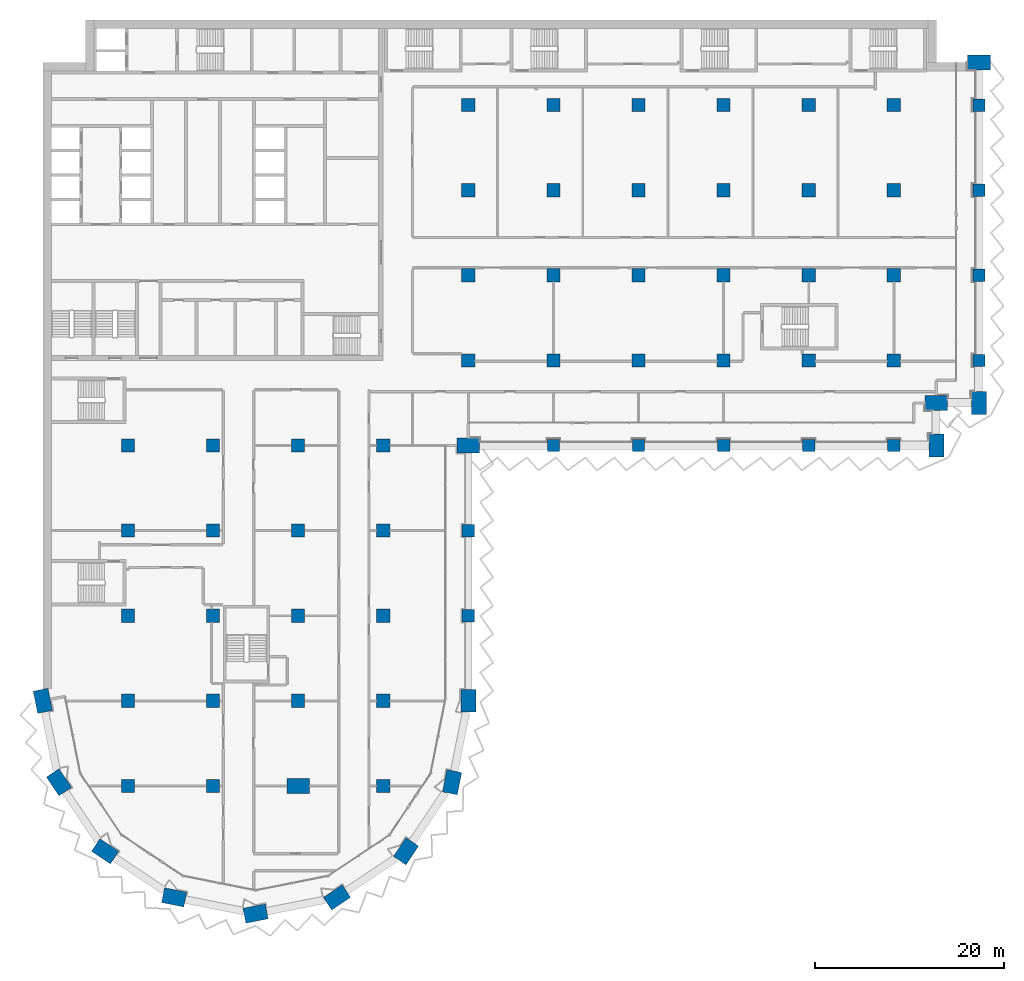
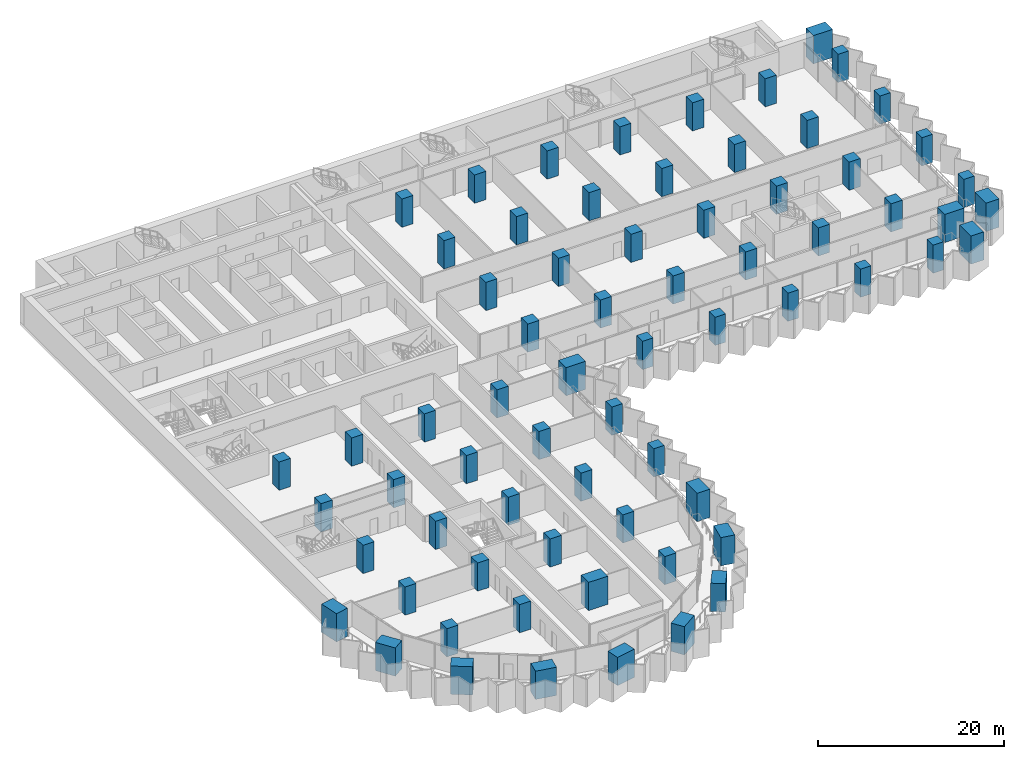
# One storey, part 1 of 29: 69 columns.
"""IFC4 building model written with IfcOpenShell, lengths in metres."""

from ifc_helpers import new_model, si_unit, direction, frame, origin, origin_2d, place, context, subcontext, project, spatial, rectangle, extrude, material, material_profile, profile_set, type_object, element, save


model = new_model("IFC4")

# Units and contexts
model_context = context("Model", 3, precision=1e-05, world=origin(), true_north=direction((0.0, 1.0)))
body_context = subcontext(model_context, "Body", "Model", "MODEL_VIEW")
ifc_project = project(units=[si_unit("LENGTHUNIT", "METRE"), si_unit("AREAUNIT", "SQUARE_METRE"), si_unit("VOLUMEUNIT", "CUBIC_METRE"), si_unit("PLANEANGLEUNIT", "RADIAN"), si_unit("MASSUNIT", "GRAM", prefix="KILO")], contexts=[model_context])

# Site, building, storey
site_placement = place(None, origin())
site = spatial("IfcSite", under=ifc_project, at=site_placement, CompositionType="ELEMENT")
building_placement = place(site_placement, origin())
building = spatial("IfcBuilding", under=site, at=building_placement, Name="Hunhe Ridgeline Campus", CompositionType="ELEMENT")
storey_placement = place(building_placement, frame((0.0, 0.0, 46.89990234375)))
storey = spatial("IfcBuildingStorey", under=building, at=storey_placement, Name="L10", CompositionType="ELEMENT", Elevation=46.89990234375)

# Columns
ifc_material = material(Name="Concrete C80", Category="concrete")
ifc_material_profile_1 = material_profile(ifc_material, rectangle(XDim=2.39990234375, YDim=1.60009765625, at=origin_2d()))
ifc_profile_set_1 = profile_set([ifc_material_profile_1], Name="Concrete C80")
column_type_1 = type_object("IfcColumnType", Name="Megacolumn 2400x1600 Concrete C80", PredefinedType="COLUMN", material=ifc_profile_set_1)
for number, where, z_axis, x_axis, name in (
    (1, (22.5, 4.5, 0.0), (0.0, 0.0, 1.0), (0.980785280403, 0.195090322016, 0.0), "Column C3 R1 L10"),
    (2, (13.8896484375, 6.212646484375, 0.0), (0.0, 0.0, 1.0), (-0.980785280403, 0.195090322016, 0.0), "Column C3 R2 L10"),
    (3, (31.1103515625, 6.212646484375, 0.0), (0.0, 0.0, 1.0), (0.831469612303, 0.55557023302, 0.0), "Column C3 R3 L10"),
    (4, (6.590087890625, 11.090087890625, 0.0), (0.0, 0.0, 1.0), (-0.831469612303, 0.55557023302, 0.0), "Column C3 R4 L10"),
    (5, (38.409912109375, 11.090087890625, 0.0), (0.0, 0.0, 1.0), (0.55557023302, 0.831469612303, 0.0), "Column C3 R5 L10"),
    (6, (1.712646484375, 18.3896484375, 0.0), (0.0, 0.0, 1.0), (-0.55557023302, 0.831469612303, 0.0), "Column C3 R9 L10"),
    (7, (43.287353515625, 18.3896484375, 0.0), (0.0, 0.0, 1.0), (0.195090322016, 0.980785280403, 0.0), "Column C3 R10 L10"),
    (8, (0.0, 27.0, 0.0), (0.0, 0.0, 1.0), (-0.195090322016, 0.980785280403, 0.0), "Column C3 D1 L10"),
    (9, (45.0, 27.0, 0.0), (0.0, 0.0, 1.0), (0.0, 1.0, 0.0), "Column C3 D6 L10"),
    (10, (45.0, 54.0, 0.0), (0.0, 0.0, 1.0), (1.0, 0.0, 0.0), "Column C3 G6 L10"),
    (11, (94.5, 54.0, 0.0), (0.0, 0.0, 1.0), (0.0, 1.0, 0.0), "Column C3 R32 L10"),
    (12, (94.5, 58.5, 0.0), (0.0, 0.0, 1.0), (1.0, 0.0, 0.0), "Column C3 R39 L10"),
    (13, (99.0, 58.5, 0.0), (0.0, 0.0, 1.0), (0.0, 1.0, 0.0), "Column C3 R40 L10"),
    (14, (99.0, 94.5, 0.0), (0.0, 0.0, 1.0), (1.0, 0.0, 0.0), "Column C3 R44 L10"),
    (15, (27.0, 18.0, 0.0), (0.0, 0.0, 1.0), (1.0, 0.0, 0.0), "Column C3 C4 L10"),
):
    element("IfcColumn", number, at=place(storey_placement, frame(where, z_axis=z_axis, x_axis=x_axis)), inside=storey, type_object=column_type_1, Name=name, PredefinedType="COLUMN", context=body_context, shape_type="SweptSolid", body=[
        extrude(rectangle(XDim=2.39990234375, YDim=1.60009765625, at=origin_2d()), origin(), (0.0, 0.0, 1.0), 3.7001953125),
    ])
ifc_material_profile_2 = material_profile(ifc_material, rectangle(XDim=1.300048828125, YDim=1.300048828125, at=origin_2d()))
ifc_profile_set_2 = profile_set([ifc_material_profile_2], Name="Concrete C80")
column_type_2 = type_object("IfcColumnType", Name="RC column 1300x1300 Concrete C80", PredefinedType="COLUMN", material=ifc_profile_set_2)
for number, where, z_axis, x_axis, name in (
    (16, (45.0, 36.0, 0.0), (0.0, 0.0, 1.0), (1.0, 0.0, 0.0), "Column C4 E6 L10"),
    (17, (45.0, 45.0, 0.0), (0.0, 0.0, 1.0), (1.0, 0.0, 0.0), "Column C4 F6 L10"),
    (18, (54.0, 54.0, 0.0), (0.0, 0.0, 1.0), (1.0, 0.0, 0.0), "Column C4 G7 L10"),
    (19, (63.0, 54.0, 0.0), (0.0, 0.0, 1.0), (1.0, 0.0, 0.0), "Column C4 G8 L10"),
    (20, (72.0, 54.0, 0.0), (0.0, 0.0, 1.0), (1.0, 0.0, 0.0), "Column C4 G9 L10"),
    (21, (81.0, 54.0, 0.0), (0.0, 0.0, 1.0), (1.0, 0.0, 0.0), "Column C4 G10 L10"),
    (22, (90.0, 54.0, 0.0), (0.0, 0.0, 1.0), (1.0, 0.0, 0.0), "Column C4 G11 L10"),
    (23, (99.0, 63.0, 0.0), (0.0, 0.0, 1.0), (1.0, 0.0, 0.0), "Column C4 H12 L10"),
    (24, (99.0, 72.0, 0.0), (0.0, 0.0, 1.0), (1.0, 0.0, 0.0), "Column C4 I12 L10"),
    (25, (99.0, 81.0, 0.0), (0.0, 0.0, 1.0), (1.0, 0.0, 0.0), "Column C4 J12 L10"),
    (26, (99.0, 90.0, 0.0), (0.0, 0.0, 1.0), (1.0, 0.0, 0.0), "Column C4 K12 L10"),
):
    element("IfcColumn", number, at=place(storey_placement, frame(where, z_axis=z_axis, x_axis=x_axis)), inside=storey, type_object=column_type_2, Name=name, PredefinedType="COLUMN", context=body_context, shape_type="SweptSolid", body=[
        extrude(rectangle(XDim=1.300048828125, YDim=1.300048828125, at=origin_2d()), origin(), (0.0, 0.0, 1.0), 3.7001953125),
    ])
ifc_material_profile_3 = material_profile(ifc_material, rectangle(XDim=1.39990234375, YDim=1.39990234375, at=origin_2d()))
ifc_profile_set_3 = profile_set([ifc_material_profile_3], Name="Concrete C80")
column_type_3 = type_object("IfcColumnType", Name="RC column 1400x1400 Concrete C80", PredefinedType="COLUMN", material=ifc_profile_set_3)
for number, where, z_axis, x_axis, name in (
    (27, (9.0, 18.0, 0.0), (0.0, 0.0, 1.0), (1.0, 0.0, 0.0), "Column C5 C2 L10"),
    (28, (9.0, 27.0, 0.0), (0.0, 0.0, 1.0), (1.0, 0.0, 0.0), "Column C5 D2 L10"),
    (29, (9.0, 36.0, 0.0), (0.0, 0.0, 1.0), (1.0, 0.0, 0.0), "Column C5 E2 L10"),
    (30, (9.0, 45.0, 0.0), (0.0, 0.0, 1.0), (1.0, 0.0, 0.0), "Column C5 F2 L10"),
    (31, (9.0, 54.0, 0.0), (0.0, 0.0, 1.0), (1.0, 0.0, 0.0), "Column C5 G2 L10"),
    (32, (18.0, 18.0, 0.0), (0.0, 0.0, 1.0), (1.0, 0.0, 0.0), "Column C5 C3 L10"),
    (33, (18.0, 27.0, 0.0), (0.0, 0.0, 1.0), (1.0, 0.0, 0.0), "Column C5 D3 L10"),
    (34, (18.0, 36.0, 0.0), (0.0, 0.0, 1.0), (1.0, 0.0, 0.0), "Column C5 E3 L10"),
    (35, (18.0, 45.0, 0.0), (0.0, 0.0, 1.0), (1.0, 0.0, 0.0), "Column C5 F3 L10"),
    (36, (18.0, 54.0, 0.0), (0.0, 0.0, 1.0), (1.0, 0.0, 0.0), "Column C5 G3 L10"),
    (37, (27.0, 27.0, 0.0), (0.0, 0.0, 1.0), (1.0, 0.0, 0.0), "Column C5 D4 L10"),
    (38, (27.0, 36.0, 0.0), (0.0, 0.0, 1.0), (1.0, 0.0, 0.0), "Column C5 E4 L10"),
    (39, (27.0, 45.0, 0.0), (0.0, 0.0, 1.0), (1.0, 0.0, 0.0), "Column C5 F4 L10"),
    (40, (27.0, 54.0, 0.0), (0.0, 0.0, 1.0), (1.0, 0.0, 0.0), "Column C5 G4 L10"),
    (41, (36.0, 18.0, 0.0), (0.0, 0.0, 1.0), (1.0, 0.0, 0.0), "Column C5 C5 L10"),
    (42, (36.0, 27.0, 0.0), (0.0, 0.0, 1.0), (1.0, 0.0, 0.0), "Column C5 D5 L10"),
    (43, (36.0, 36.0, 0.0), (0.0, 0.0, 1.0), (1.0, 0.0, 0.0), "Column C5 E5 L10"),
    (44, (36.0, 45.0, 0.0), (0.0, 0.0, 1.0), (1.0, 0.0, 0.0), "Column C5 F5 L10"),
    (45, (36.0, 54.0, 0.0), (0.0, 0.0, 1.0), (1.0, 0.0, 0.0), "Column C5 G5 L10"),
    (46, (45.0, 63.0, 0.0), (0.0, 0.0, 1.0), (1.0, 0.0, 0.0), "Column C5 H6 L10"),
    (47, (45.0, 72.0, 0.0), (0.0, 0.0, 1.0), (1.0, 0.0, 0.0), "Column C5 I6 L10"),
    (48, (45.0, 81.0, 0.0), (0.0, 0.0, 1.0), (1.0, 0.0, 0.0), "Column C5 J6 L10"),
    (49, (45.0, 90.0, 0.0), (0.0, 0.0, 1.0), (1.0, 0.0, 0.0), "Column C5 K6 L10"),
    (50, (54.0, 63.0, 0.0), (0.0, 0.0, 1.0), (1.0, 0.0, 0.0), "Column C5 H7 L10"),
    (51, (54.0, 72.0, 0.0), (0.0, 0.0, 1.0), (1.0, 0.0, 0.0), "Column C5 I7 L10"),
    (52, (54.0, 81.0, 0.0), (0.0, 0.0, 1.0), (1.0, 0.0, 0.0), "Column C5 J7 L10"),
    (53, (54.0, 90.0, 0.0), (0.0, 0.0, 1.0), (1.0, 0.0, 0.0), "Column C5 K7 L10"),
    (54, (63.0, 63.0, 0.0), (0.0, 0.0, 1.0), (1.0, 0.0, 0.0), "Column C5 H8 L10"),
    (55, (63.0, 72.0, 0.0), (0.0, 0.0, 1.0), (1.0, 0.0, 0.0), "Column C5 I8 L10"),
    (56, (63.0, 81.0, 0.0), (0.0, 0.0, 1.0), (1.0, 0.0, 0.0), "Column C5 J8 L10"),
    (57, (63.0, 90.0, 0.0), (0.0, 0.0, 1.0), (1.0, 0.0, 0.0), "Column C5 K8 L10"),
    (58, (72.0, 63.0, 0.0), (0.0, 0.0, 1.0), (1.0, 0.0, 0.0), "Column C5 H9 L10"),
    (59, (72.0, 72.0, 0.0), (0.0, 0.0, 1.0), (1.0, 0.0, 0.0), "Column C5 I9 L10"),
    (60, (72.0, 81.0, 0.0), (0.0, 0.0, 1.0), (1.0, 0.0, 0.0), "Column C5 J9 L10"),
    (61, (72.0, 90.0, 0.0), (0.0, 0.0, 1.0), (1.0, 0.0, 0.0), "Column C5 K9 L10"),
    (62, (81.0, 63.0, 0.0), (0.0, 0.0, 1.0), (1.0, 0.0, 0.0), "Column C5 H10 L10"),
    (63, (81.0, 72.0, 0.0), (0.0, 0.0, 1.0), (1.0, 0.0, 0.0), "Column C5 I10 L10"),
    (64, (81.0, 81.0, 0.0), (0.0, 0.0, 1.0), (1.0, 0.0, 0.0), "Column C5 J10 L10"),
    (65, (81.0, 90.0, 0.0), (0.0, 0.0, 1.0), (1.0, 0.0, 0.0), "Column C5 K10 L10"),
    (66, (90.0, 63.0, 0.0), (0.0, 0.0, 1.0), (1.0, 0.0, 0.0), "Column C5 H11 L10"),
    (67, (90.0, 72.0, 0.0), (0.0, 0.0, 1.0), (1.0, 0.0, 0.0), "Column C5 I11 L10"),
    (68, (90.0, 81.0, 0.0), (0.0, 0.0, 1.0), (1.0, 0.0, 0.0), "Column C5 J11 L10"),
    (69, (90.0, 90.0, 0.0), (0.0, 0.0, 1.0), (1.0, 0.0, 0.0), "Column C5 K11 L10"),
):
    element("IfcColumn", number, at=place(storey_placement, frame(where, z_axis=z_axis, x_axis=x_axis)), inside=storey, type_object=column_type_3, Name=name, PredefinedType="COLUMN", context=body_context, shape_type="SweptSolid", body=[
        extrude(rectangle(XDim=1.39990234375, YDim=1.39990234375, at=origin_2d()), origin(), (0.0, 0.0, 1.0), 3.7001953125),
    ])

save(model, "model.ifc")
